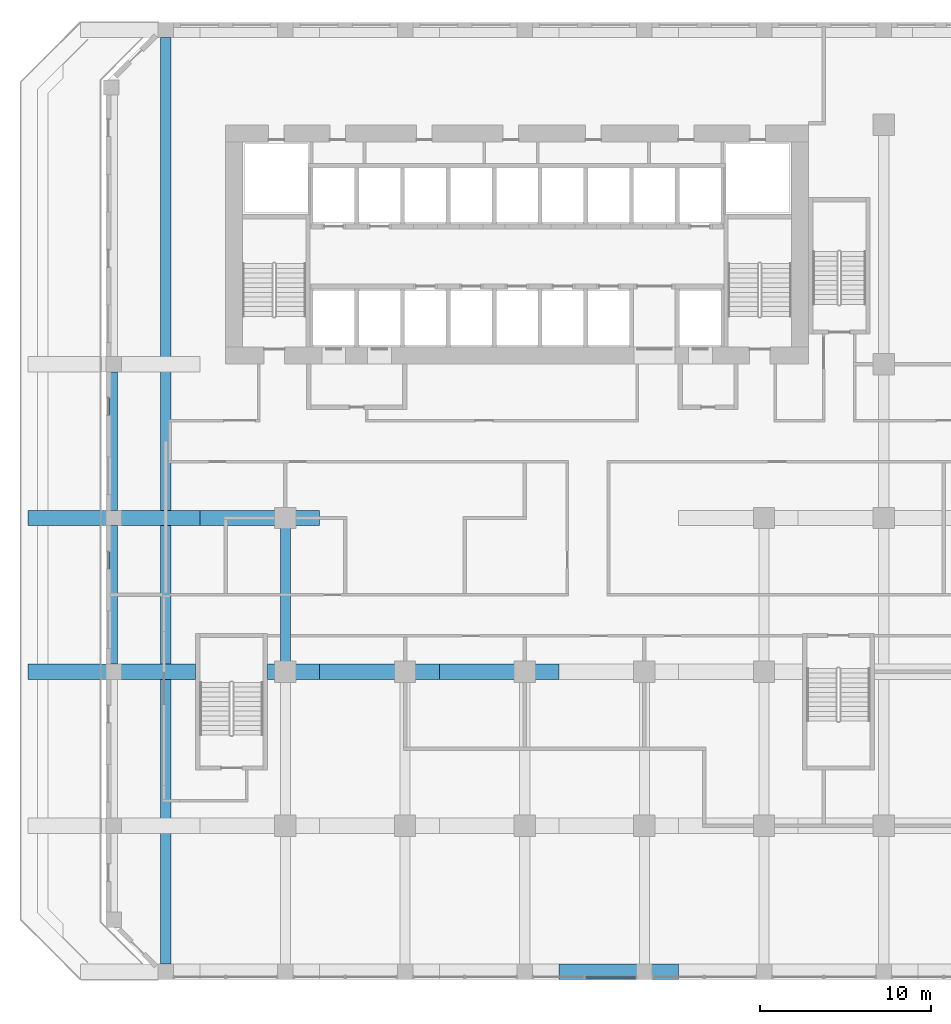
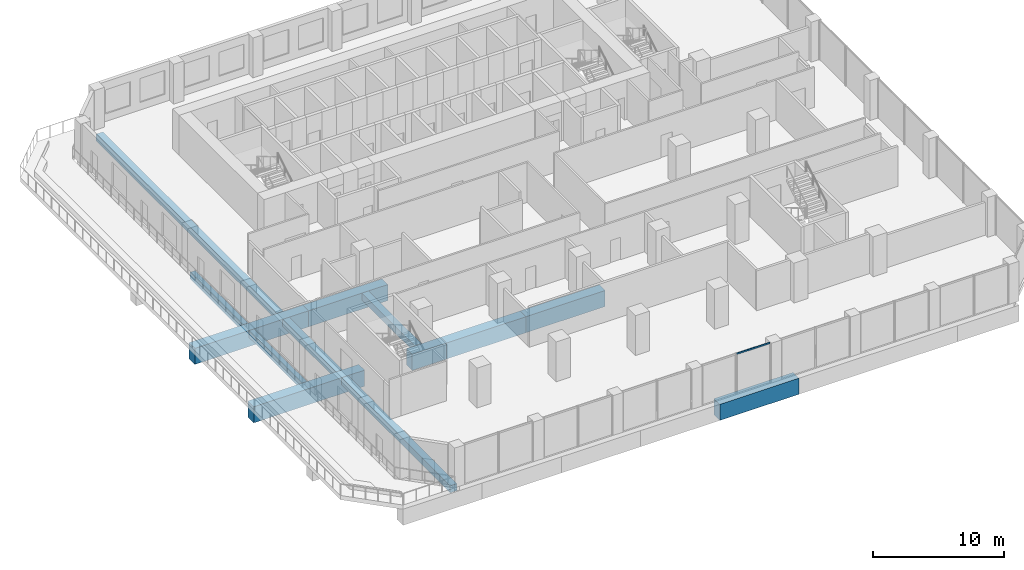
# One storey, part 4 of 20: 11 beams, 1 member, 1 element without a shape of its own.
"""IFC4 building model written with IfcOpenShell, lengths in metres."""

from ifc_helpers import new_model, si_unit, direction, frame, origin, origin_2d, place, context, subcontext, project, spatial, rectangle, extrude, source, transform, mapped, material, material_profile, profile_set, type_object, element, aggregate, save


model = new_model("IFC4")

# Units and contexts
model_context = context("Model", 3, precision=1e-05, world=origin(), true_north=direction((0.0, 1.0)))
body_context = subcontext(model_context, "Body", "Model", "MODEL_VIEW")
ifc_project = project(units=[si_unit("LENGTHUNIT", "METRE"), si_unit("AREAUNIT", "SQUARE_METRE"), si_unit("VOLUMEUNIT", "CUBIC_METRE"), si_unit("PLANEANGLEUNIT", "RADIAN"), si_unit("MASSUNIT", "GRAM", prefix="KILO")], contexts=[model_context])

# Site, building, storey
site_placement = place(None, origin())
site = spatial("IfcSite", under=ifc_project, at=site_placement, CompositionType="ELEMENT")
building_placement = place(site_placement, origin())
building = spatial("IfcBuilding", under=site, at=building_placement, Name="Kilnfold Tower and Market Hall", CompositionType="ELEMENT")
storey_placement = place(building_placement, frame((0.0, 0.0, 63.199951171875)))
storey = spatial("IfcBuildingStorey", under=building, at=storey_placement, Name="L14", CompositionType="ELEMENT", Elevation=63.199951171875)

# Beams
ifc_material_1 = material(Name="Concrete C45", Category="concrete")
ifc_material_profile_1 = material_profile(ifc_material_1, rectangle(XDim=0.449951171875, YDim=0.64990234375, at=origin_2d()), Name="RC 450x650")
ifc_profile_set_1 = profile_set([ifc_material_profile_1], Name="Concrete C45")
beam_type_1 = type_object("IfcBeamType", Name="EDGE BEAM 450X650 C45", PredefinedType="BEAM", material=ifc_profile_set_1)
shared_shape_1 = source(origin(), body_context, "Body", "SweptSolid", [
    extrude(rectangle(XDim=0.449951171875, YDim=0.64990234375, at=origin_2d()), origin(), (0.0, 0.0, 1.0), 8.10009765625),
])
for number, where, z_axis, x_axis, name in (
    (1, (-22.550048828125, -9.550048828125, -0.724853515625), (0.0, 1.0, 0.0), (-1.0, 0.0, 0.0), "Beam EB650-B2.39"),
    (2, (-22.550048828125, -0.550048828125, -0.724853515625), (0.0, 1.0, 0.0), (-1.0, 0.0, 0.0), "Beam EB650-B2.40"),
):
    element("IfcBeam", number, at=place(storey_placement, frame(where, z_axis=z_axis, x_axis=x_axis)), inside=storey, type_object=beam_type_1, Name=name, PredefinedType="BEAM", context=body_context, shape_type="MappedRepresentation", body=[
        mapped(shared_shape_1, transform((0.0, 0.0, 0.0))),
    ])
ifc_material_2 = material(Name="Concrete C45", Category="concrete")
ifc_material_profile_2 = material_profile(ifc_material_2, rectangle(XDim=0.60009765625, YDim=0.64990234375, at=origin_2d()), Name="RC 600x650")
ifc_profile_set_2 = profile_set([ifc_material_profile_2], Name="Concrete C45")
beam_type_2 = type_object("IfcBeamType", Name="BEAM 600X650 C45", PredefinedType="BEAM", material=ifc_profile_set_2)
shared_shape_2 = source(origin(), body_context, "Body", "SweptSolid", [
    extrude(rectangle(XDim=0.60009765625, YDim=0.64990234375, at=origin_2d()), origin(), (0.0, 0.0, 1.0), 54.2001953125),
])
beam_1_placement = place(storey_placement, frame((-19.5, -27.10009765625, -0.724853515625), z_axis=(0.0, 1.0, 0.0), x_axis=(-1.0, 0.0, 0.0)))
element("IfcBeam", 3, at=beam_1_placement, inside=storey, type_object=beam_type_2, Name="Beam BB650-B2.42", PredefinedType="BEAM", context=body_context, shape_type="MappedRepresentation", body=[
    mapped(shared_shape_2, transform((0.0, 0.0, 0.0))),
])
ifc_material_3 = material(Name="Concrete C60", Category="concrete")
ifc_material_profile_3 = material_profile(ifc_material_3, rectangle(XDim=0.89990234375, YDim=1.5, at=origin_2d()), Name="RC 900x1500")
ifc_profile_set_3 = profile_set([ifc_material_profile_3], Name="Concrete C60")
beam_type_3 = type_object("IfcBeamType", Name="TRANSFER GIRDER 900X1500 C60", PredefinedType="BEAM", material=ifc_profile_set_3)
shared_shape_3 = source(origin(), body_context, "Body", "SweptSolid", [
    extrude(rectangle(XDim=0.89990234375, YDim=1.5, at=origin_2d()), origin(), (0.0, 0.0, 1.0), 10.050048828125),
])
beam_2_placement = place(storey_placement, frame((-27.550048828125, -1.0, -1.14990234375), z_axis=(1.0, 0.0, 0.0), x_axis=(0.0, 1.0, 0.0)))
element("IfcBeam", 4, at=beam_2_placement, inside=storey, type_object=beam_type_3, Name="Beam TG1500-B2.3", PredefinedType="BEAM", context=body_context, shape_type="MappedRepresentation", body=[
    mapped(shared_shape_3, transform((0.0, 0.0, 0.0))),
])
shared_shape_4 = source(origin(), body_context, "Body", "SweptSolid", [
    extrude(rectangle(XDim=0.89990234375, YDim=1.5, at=origin_2d()), origin(), (0.0, 0.0, 1.0), 9.800048828125),
])
beam_3_placement = place(storey_placement, frame((-27.550048828125, -10.0, -1.14990234375), z_axis=(1.0, 0.0, 0.0), x_axis=(0.0, 1.0, 0.0)))
element("IfcBeam", 5, at=beam_3_placement, inside=storey, type_object=beam_type_3, Name="Beam TG1500-B2.2", PredefinedType="BEAM", context=body_context, shape_type="MappedRepresentation", body=[
    mapped(shared_shape_4, transform((0.0, 0.0, 0.0))),
])
shared_shape_5 = source(origin(), body_context, "Body", "SweptSolid", [
    extrude(rectangle(XDim=0.89990234375, YDim=1.5, at=origin_2d()), origin(), (0.0, 0.0, 1.0), 7.0),
])
for number, where, z_axis, x_axis, name in (
    (6, (-17.5, -1.0, -1.14990234375), (1.0, 0.0, 0.0), (0.0, 1.0, 0.0), "Beam TG1500-B2.9"),
    (7, (-10.5, -10.0, -1.14990234375), (1.0, 0.0, 0.0), (0.0, 1.0, 0.0), "Beam TG1500-B2.14"),
    (8, (-3.5, -10.0, -1.14990234375), (1.0, 0.0, 0.0), (0.0, 1.0, 0.0), "Beam TG1500-B2.18"),
    (9, (3.5, -27.550048828125, -1.14990234375), (1.0, 0.0, 0.0), (0.0, 1.0, 0.0), "Beam TG1500-B2.20"),
):
    element("IfcBeam", number, at=place(storey_placement, frame(where, z_axis=z_axis, x_axis=x_axis)), inside=storey, type_object=beam_type_3, Name=name, PredefinedType="BEAM", context=body_context, shape_type="MappedRepresentation", body=[
        mapped(shared_shape_5, transform((0.0, 0.0, 0.0))),
    ])
shared_shape_6 = source(origin(), body_context, "Body", "SweptSolid", [
    extrude(rectangle(XDim=0.89990234375, YDim=1.5, at=origin_2d()), origin(), (0.0, 0.0, 1.0), 3.050048828125),
])
beam_4_placement = place(storey_placement, frame((-13.550048828125, -10.0, -1.14990234375), z_axis=(1.0, 0.0, 0.0), x_axis=(0.0, 1.0, 0.0)))
element("IfcBeam", 10, at=beam_4_placement, inside=storey, type_object=beam_type_3, Name="Beam TG1500-B2.11", PredefinedType="BEAM", context=body_context, shape_type="MappedRepresentation", body=[
    mapped(shared_shape_6, transform((0.0, 0.0, 0.0))),
])
shared_shape_7 = source(origin(), body_context, "Body", "SweptSolid", [
    extrude(rectangle(XDim=0.60009765625, YDim=0.64990234375, at=origin_2d()), origin(), (0.0, 0.0, 1.0), 8.10009765625),
])
beam_5_placement = place(storey_placement, frame((-12.5, -9.550048828125, -0.724853515625), z_axis=(0.0, 1.0, 0.0), x_axis=(-1.0, 0.0, 0.0)))
element("IfcBeam", 11, at=beam_5_placement, inside=storey, type_object=beam_type_2, Name="Beam BB650-B2.45", PredefinedType="BEAM", context=body_context, shape_type="MappedRepresentation", body=[
    mapped(shared_shape_7, transform((0.0, 0.0, 0.0))),
])

# Curtain wall, member
ifc_material_4 = material(Name="Aluminium and double glazing", Category="aluminium")
curtain_wall_type = type_object("IfcCurtainWallType", Name="CW OF1 VALLEY GLAZING", PredefinedType="NOTDEFINED", material=ifc_material_4)
curtain_wall_placement = place(storey_placement, origin())
curtain_wall = element("IfcCurtainWall", 12, at=curtain_wall_placement, inside=storey, type_object=curtain_wall_type, Name="Curtain wall CW1 L14 S", PredefinedType="NOTDEFINED")
ifc_material_5 = material(Name="Aluminium", Category="aluminium")
ifc_material_profile_4 = material_profile(ifc_material_5, rectangle(XDim=0.06005859375, YDim=0.139892578125, at=origin_2d()), Name="TRANSOM 60x140")
ifc_profile_set_4 = profile_set([ifc_material_profile_4], Name="Aluminium")
member_type = type_object("IfcMemberType", Name="TRANSOM 60X140", PredefinedType="USERDEFINED", material=ifc_profile_set_4)
shared_shape_8 = source(origin(), body_context, "Body", "SweptSolid", [
    extrude(rectangle(XDim=0.06005859375, YDim=0.139892578125, at=origin_2d()), origin(), (0.0, 0.0, 1.0), 2.929931640625),
])
member_placement = place(storey_placement, frame((5.06005859375, -27.85009765625, 3.68994140625), z_axis=(1.0, 0.0, 0.0), x_axis=(0.0, 1.0, 0.0)))
member = element("IfcMember", 13, at=member_placement, type_object=member_type, Name="CW1 transom 1.2", ObjectType="TRANSOM", PredefinedType="USERDEFINED", context=body_context, shape_type="MappedRepresentation", body=[
    mapped(shared_shape_8, transform((0.0, 0.0, 0.0))),
])
aggregate(curtain_wall, [member])

save(model, "model.ifc")
